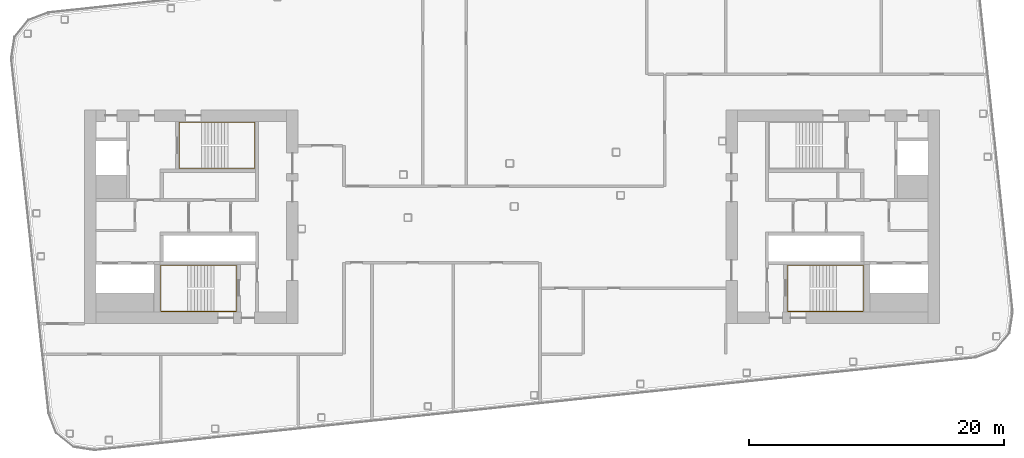
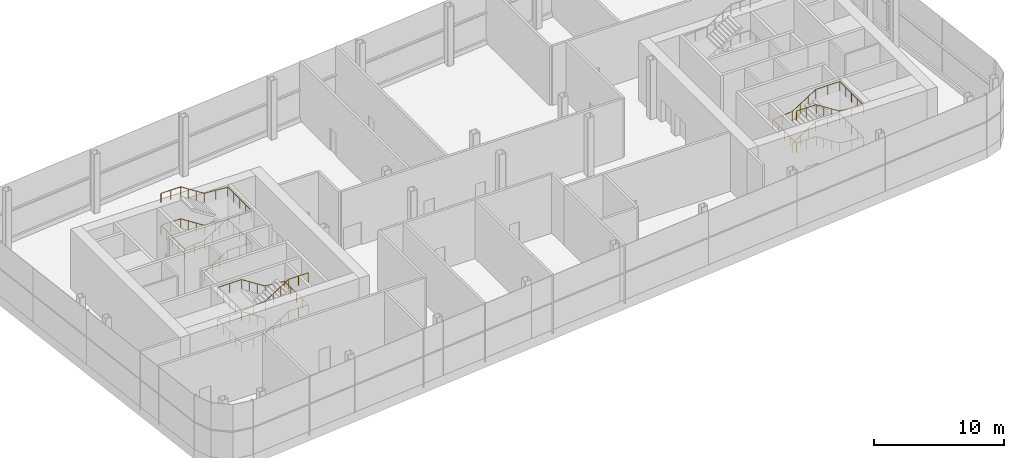
# One storey, part 34 of 35: 3 railings.
"""IFC4 building model written with IfcOpenShell, lengths in metres."""

from ifc_helpers import new_model, si_unit, direction, frame, origin, origin_2d, place, context, subcontext, project, spatial, circle, extrude, material, type_object, element, save


model = new_model("IFC4")

# Units and contexts
model_context = context("Model", 3, precision=1e-05, world=origin(), true_north=direction((0.0, 1.0)))
body_context = subcontext(model_context, "Body", "Model", "MODEL_VIEW")
ifc_project = project(units=[si_unit("LENGTHUNIT", "METRE"), si_unit("AREAUNIT", "SQUARE_METRE"), si_unit("VOLUMEUNIT", "CUBIC_METRE"), si_unit("PLANEANGLEUNIT", "RADIAN"), si_unit("MASSUNIT", "GRAM", prefix="KILO")], contexts=[model_context])

# Site, building, storey
site_placement = place(None, origin())
site = spatial("IfcSite", under=ifc_project, at=site_placement, CompositionType="ELEMENT")
building_placement = place(site_placement, origin())
building = spatial("IfcBuilding", under=site, at=building_placement, Name="Hakoniwa Tower and Hamabe Station Hall", CompositionType="ELEMENT")
storey_placement = place(building_placement, frame((0.0, 0.0, 264.60009765625)))
storey = spatial("IfcBuildingStorey", under=building, at=storey_placement, Name="L75", CompositionType="ELEMENT", Elevation=264.60009765625)

# Railings
ifc_material = material(Name="Stainless steel SUS304", Category="steel")
railing_type = type_object("IfcRailingType", Name="STAIR HANDRAIL 900", PredefinedType="HANDRAIL", material=ifc_material)
railing_1_placement = place(storey_placement, frame((-24.39990234375, 3.81005859375, 0.16650390625)))
element("IfcRailing", 1, at=railing_1_placement, inside=storey, type_object=railing_type, Name="Handrail ST-1 L75 1", PredefinedType="HANDRAIL", context=body_context, shape_type="SweptSolid", body=[
    extrude(circle(Radius=0.02392578125, at=origin_2d()), frame((0.0, 0.0, 0.8759765625), z_axis=(0.841829634381, 0.0, 0.539743334075), x_axis=(0.0, 1.0, 0.0)), (0.0, 0.0, 1.0), 2.470703125),
    extrude(circle(Radius=0.02392578125, at=origin_2d()), frame((2.079833984375, 0.0, 2.20947265625), z_axis=(1.0, 0.0, 0.0), x_axis=(0.0, 1.0, 0.0)), (0.0, 0.0, 1.0), 2.110107421875),
    extrude(circle(Radius=0.02392578125, at=origin_2d()), frame((4.18994140625, 0.0, 2.20947265625), z_axis=(0.0, 1.0, 0.0), x_axis=(-1.0, 0.0, 0.0)), (0.0, 0.0, 1.0), 3.6298828125),
    extrude(circle(Radius=0.02392578125, at=origin_2d()), frame((4.18994140625, 3.6298828125, 2.20947265625), z_axis=(-0.99690124378, 0.0, 0.078663270653), x_axis=(0.0, -1.0, 0.0)), (0.0, 0.0, 1.0), 2.11669921875),
    extrude(circle(Radius=0.02392578125, at=origin_2d()), frame((2.079833984375, 3.6298828125, 2.3759765625), z_axis=(-0.841829634381, 0.0, 0.539743334075), x_axis=(0.0, -1.0, 0.0)), (0.0, 0.0, 1.0), 2.470703125),
    extrude(circle(Radius=0.02392578125, at=origin_2d()), frame((0.0, 3.6298828125, 3.70947265625), z_axis=(-1.0, 0.0, 0.0), x_axis=(0.0, -1.0, 0.0)), (0.0, 0.0, 1.0), 1.739990234375),
    extrude(circle(Radius=0.02392578125, at=origin_2d()), frame((-1.739990234375, 3.6298828125, 3.70947265625), z_axis=(0.0, -1.0, 0.0), x_axis=(1.0, 0.0, 0.0)), (0.0, 0.0, 1.0), 3.6298828125),
    extrude(circle(Radius=0.02392578125, at=origin_2d()), frame((-1.739990234375, 0.0, 3.70947265625), z_axis=(0.995452684975, 0.0, 0.095257293553), x_axis=(0.0, 1.0, 0.0)), (0.0, 0.0, 1.0), 1.748046875),
    extrude(circle(Radius=0.02392578125, at=origin_2d()), frame((0.0, 0.0, 3.8759765625), z_axis=(0.841829634381, 0.0, 0.539743334075), x_axis=(0.0, 1.0, 0.0)), (0.0, 0.0, 1.0), 2.470703125),
    extrude(circle(Radius=0.02392578125, at=origin_2d()), frame((2.079833984375, 0.0, 5.20947265625), z_axis=(1.0, 0.0, 0.0), x_axis=(0.0, 1.0, 0.0)), (0.0, 0.0, 1.0), 2.110107421875),
    extrude(circle(Radius=0.02392578125, at=origin_2d()), frame((4.18994140625, 0.0, 5.20947265625), z_axis=(0.0, 1.0, 0.0), x_axis=(-1.0, 0.0, 0.0)), (0.0, 0.0, 1.0), 3.6298828125),
    extrude(circle(Radius=0.02392578125, at=origin_2d()), frame((4.18994140625, 3.6298828125, 5.20947265625), z_axis=(-0.99690124378, 0.0, 0.078663270653), x_axis=(0.0, -1.0, 0.0)), (0.0, 0.0, 1.0), 2.11669921875),
    extrude(circle(Radius=0.02392578125, at=origin_2d()), frame((2.079833984375, 3.6298828125, 5.3759765625), z_axis=(-0.841829634381, 0.0, 0.539743334075), x_axis=(0.0, -1.0, 0.0)), (0.0, 0.0, 1.0), 2.470703125),
    extrude(circle(Radius=0.02392578125, at=origin_2d()), frame((0.0, 3.6298828125, 6.70947265625), z_axis=(-1.0, 0.0, 0.0), x_axis=(0.0, -1.0, 0.0)), (0.0, 0.0, 1.0), 1.739990234375),
    extrude(circle(Radius=0.02099609375, at=origin_2d()), origin(), (0.0, 0.0, 1.0), 0.851806640625),
    extrude(circle(Radius=0.02099609375, at=origin_2d()), frame((0.693359375, 0.0, 0.444580078125)), (0.0, 0.0, 1.0), 0.851806640625),
    extrude(circle(Radius=0.02099609375, at=origin_2d()), frame((1.386474609375, 0.0, 0.888916015625)), (0.0, 0.0, 1.0), 0.851806640625),
    extrude(circle(Radius=0.02099609375, at=origin_2d()), frame((2.079833984375, 0.0, 1.33349609375)), (0.0, 0.0, 1.0), 0.851806640625),
    extrude(circle(Radius=0.02099609375, at=origin_2d()), frame((3.134765625, 0.0, 1.33349609375)), (0.0, 0.0, 1.0), 0.851806640625),
    extrude(circle(Radius=0.02099609375, at=origin_2d()), frame((4.18994140625, 0.0, 1.33349609375)), (0.0, 0.0, 1.0), 0.851806640625),
    extrude(circle(Radius=0.02099609375, at=origin_2d()), frame((4.18994140625, 0.907470703125, 1.33349609375)), (0.0, 0.0, 1.0), 0.851806640625),
    extrude(circle(Radius=0.02099609375, at=origin_2d()), frame((4.18994140625, 1.81494140625, 1.33349609375)), (0.0, 0.0, 1.0), 0.851806640625),
    extrude(circle(Radius=0.02099609375, at=origin_2d()), frame((4.18994140625, 2.722412109375, 1.33349609375)), (0.0, 0.0, 1.0), 0.851806640625),
    extrude(circle(Radius=0.02099609375, at=origin_2d()), frame((4.18994140625, 3.6298828125, 1.33349609375)), (0.0, 0.0, 1.0), 0.851806640625),
    extrude(circle(Radius=0.02099609375, at=origin_2d()), frame((3.134765625, 3.6298828125, 1.416748046875)), (0.0, 0.0, 1.0), 0.851806640625),
    extrude(circle(Radius=0.02099609375, at=origin_2d()), frame((2.079833984375, 3.6298828125, 1.5)), (0.0, 0.0, 1.0), 0.851806640625),
    extrude(circle(Radius=0.02099609375, at=origin_2d()), frame((1.386474609375, 3.6298828125, 1.944580078125)), (0.0, 0.0, 1.0), 0.851806640625),
    extrude(circle(Radius=0.02099609375, at=origin_2d()), frame((0.693359375, 3.6298828125, 2.388916015625)), (0.0, 0.0, 1.0), 0.851806640625),
    extrude(circle(Radius=0.02099609375, at=origin_2d()), frame((0.0, 3.6298828125, 2.83349609375)), (0.0, 0.0, 1.0), 0.851806640625),
    extrude(circle(Radius=0.02099609375, at=origin_2d()), frame((-0.8701171875, 3.6298828125, 2.83349609375)), (0.0, 0.0, 1.0), 0.851806640625),
    extrude(circle(Radius=0.02099609375, at=origin_2d()), frame((-1.739990234375, 3.6298828125, 2.83349609375)), (0.0, 0.0, 1.0), 0.851806640625),
    extrude(circle(Radius=0.02099609375, at=origin_2d()), frame((-1.739990234375, 2.722412109375, 2.83349609375)), (0.0, 0.0, 1.0), 0.851806640625),
    extrude(circle(Radius=0.02099609375, at=origin_2d()), frame((-1.739990234375, 1.81494140625, 2.83349609375)), (0.0, 0.0, 1.0), 0.851806640625),
    extrude(circle(Radius=0.02099609375, at=origin_2d()), frame((-1.739990234375, 0.907470703125, 2.83349609375)), (0.0, 0.0, 1.0), 0.851806640625),
    extrude(circle(Radius=0.02099609375, at=origin_2d()), frame((-1.739990234375, 0.0, 2.83349609375)), (0.0, 0.0, 1.0), 0.851806640625),
    extrude(circle(Radius=0.02099609375, at=origin_2d()), frame((-0.8701171875, 0.0, 2.916748046875)), (0.0, 0.0, 1.0), 0.851806640625),
    extrude(circle(Radius=0.02099609375, at=origin_2d()), frame((0.0, 0.0, 3.0)), (0.0, 0.0, 1.0), 0.851806640625),
    extrude(circle(Radius=0.02099609375, at=origin_2d()), frame((0.693359375, 0.0, 3.444580078125)), (0.0, 0.0, 1.0), 0.851806640625),
    extrude(circle(Radius=0.02099609375, at=origin_2d()), frame((1.386474609375, 0.0, 3.888916015625)), (0.0, 0.0, 1.0), 0.851806640625),
    extrude(circle(Radius=0.02099609375, at=origin_2d()), frame((2.079833984375, 0.0, 4.33349609375)), (0.0, 0.0, 1.0), 0.851806640625),
    extrude(circle(Radius=0.02099609375, at=origin_2d()), frame((3.134765625, 0.0, 4.33349609375)), (0.0, 0.0, 1.0), 0.851806640625),
    extrude(circle(Radius=0.02099609375, at=origin_2d()), frame((4.18994140625, 0.0, 4.33349609375)), (0.0, 0.0, 1.0), 0.851806640625),
    extrude(circle(Radius=0.02099609375, at=origin_2d()), frame((4.18994140625, 0.907470703125, 4.33349609375)), (0.0, 0.0, 1.0), 0.851806640625),
    extrude(circle(Radius=0.02099609375, at=origin_2d()), frame((4.18994140625, 1.81494140625, 4.33349609375)), (0.0, 0.0, 1.0), 0.851806640625),
    extrude(circle(Radius=0.02099609375, at=origin_2d()), frame((4.18994140625, 2.722412109375, 4.33349609375)), (0.0, 0.0, 1.0), 0.851806640625),
    extrude(circle(Radius=0.02099609375, at=origin_2d()), frame((4.18994140625, 3.6298828125, 4.33349609375)), (0.0, 0.0, 1.0), 0.851806640625),
    extrude(circle(Radius=0.02099609375, at=origin_2d()), frame((3.134765625, 3.6298828125, 4.416748046875)), (0.0, 0.0, 1.0), 0.851806640625),
    extrude(circle(Radius=0.02099609375, at=origin_2d()), frame((2.079833984375, 3.6298828125, 4.5)), (0.0, 0.0, 1.0), 0.851806640625),
    extrude(circle(Radius=0.02099609375, at=origin_2d()), frame((1.386474609375, 3.6298828125, 4.944580078125)), (0.0, 0.0, 1.0), 0.851806640625),
    extrude(circle(Radius=0.02099609375, at=origin_2d()), frame((0.693359375, 3.6298828125, 5.388916015625)), (0.0, 0.0, 1.0), 0.851806640625),
    extrude(circle(Radius=0.02099609375, at=origin_2d()), frame((0.0, 3.6298828125, 5.83349609375)), (0.0, 0.0, 1.0), 0.851806640625),
    extrude(circle(Radius=0.02099609375, at=origin_2d()), frame((-0.8701171875, 3.6298828125, 5.83349609375)), (0.0, 0.0, 1.0), 0.851806640625),
    extrude(circle(Radius=0.02099609375, at=origin_2d()), frame((-1.739990234375, 3.6298828125, 5.83349609375)), (0.0, 0.0, 1.0), 0.851806640625),
])
railing_2_placement = place(storey_placement, frame((-23.39990234375, -3.81005859375, 0.16650390625)))
element("IfcRailing", 2, at=railing_2_placement, inside=storey, type_object=railing_type, Name="Handrail ST-2 L75 1", PredefinedType="HANDRAIL", context=body_context, shape_type="SweptSolid", body=[
    extrude(circle(Radius=0.02392578125, at=origin_2d()), frame((0.0, 0.0, 0.8759765625), z_axis=(-0.841858418701, 0.0, 0.539698436965), x_axis=(0.0, -1.0, 0.0)), (0.0, 0.0, 1.0), 2.470703125),
    extrude(circle(Radius=0.02392578125, at=origin_2d()), frame((-2.080078125, 0.0, 2.20947265625), z_axis=(-1.0, 0.0, 0.0), x_axis=(0.0, -1.0, 0.0)), (0.0, 0.0, 1.0), 2.110107421875),
    extrude(circle(Radius=0.02392578125, at=origin_2d()), frame((-4.190185546875, 0.0, 2.20947265625), z_axis=(0.0, -1.0, 0.0), x_axis=(1.0, 0.0, 0.0)), (0.0, 0.0, 1.0), 3.6298828125),
    extrude(circle(Radius=0.02392578125, at=origin_2d()), frame((-4.190185546875, -3.6298828125, 2.20947265625), z_axis=(0.99690124378, 0.0, 0.078663270653), x_axis=(0.0, 1.0, 0.0)), (0.0, 0.0, 1.0), 2.11669921875),
    extrude(circle(Radius=0.02392578125, at=origin_2d()), frame((-2.080078125, -3.6298828125, 2.3759765625), z_axis=(0.841858418701, 0.0, 0.539698436965), x_axis=(0.0, 1.0, 0.0)), (0.0, 0.0, 1.0), 2.470703125),
    extrude(circle(Radius=0.02392578125, at=origin_2d()), frame((0.0, -3.6298828125, 3.70947265625), z_axis=(1.0, 0.0, 0.0), x_axis=(0.0, 1.0, 0.0)), (0.0, 0.0, 1.0), 1.739990234375),
    extrude(circle(Radius=0.02392578125, at=origin_2d()), frame((1.739990234375, -3.6298828125, 3.70947265625), z_axis=(0.0, 1.0, 0.0), x_axis=(-1.0, 0.0, 0.0)), (0.0, 0.0, 1.0), 3.6298828125),
    extrude(circle(Radius=0.02392578125, at=origin_2d()), frame((1.739990234375, 0.0, 3.70947265625), z_axis=(-0.995452684975, 0.0, 0.095257293553), x_axis=(0.0, -1.0, 0.0)), (0.0, 0.0, 1.0), 1.748046875),
    extrude(circle(Radius=0.02392578125, at=origin_2d()), frame((0.0, 0.0, 3.8759765625), z_axis=(-0.841858418701, 0.0, 0.539698436965), x_axis=(0.0, -1.0, 0.0)), (0.0, 0.0, 1.0), 2.470703125),
    extrude(circle(Radius=0.02392578125, at=origin_2d()), frame((-2.080078125, 0.0, 5.20947265625), z_axis=(-1.0, 0.0, 0.0), x_axis=(0.0, -1.0, 0.0)), (0.0, 0.0, 1.0), 2.110107421875),
    extrude(circle(Radius=0.02392578125, at=origin_2d()), frame((-4.190185546875, 0.0, 5.20947265625), z_axis=(0.0, -1.0, 0.0), x_axis=(1.0, 0.0, 0.0)), (0.0, 0.0, 1.0), 3.6298828125),
    extrude(circle(Radius=0.02392578125, at=origin_2d()), frame((-4.190185546875, -3.6298828125, 5.20947265625), z_axis=(0.99690124378, 0.0, 0.078663270653), x_axis=(0.0, 1.0, 0.0)), (0.0, 0.0, 1.0), 2.11669921875),
    extrude(circle(Radius=0.02392578125, at=origin_2d()), frame((-2.080078125, -3.6298828125, 5.3759765625), z_axis=(0.841858418701, 0.0, 0.539698436965), x_axis=(0.0, 1.0, 0.0)), (0.0, 0.0, 1.0), 2.470703125),
    extrude(circle(Radius=0.02392578125, at=origin_2d()), frame((0.0, -3.6298828125, 6.70947265625), z_axis=(1.0, 0.0, 0.0), x_axis=(0.0, 1.0, 0.0)), (0.0, 0.0, 1.0), 1.739990234375),
    extrude(circle(Radius=0.02099609375, at=origin_2d()), origin(), (0.0, 0.0, 1.0), 0.851806640625),
    extrude(circle(Radius=0.02099609375, at=origin_2d()), frame((-0.693359375, 0.0, 0.444580078125)), (0.0, 0.0, 1.0), 0.851806640625),
    extrude(circle(Radius=0.02099609375, at=origin_2d()), frame((-1.38671875, 0.0, 0.888916015625)), (0.0, 0.0, 1.0), 0.851806640625),
    extrude(circle(Radius=0.02099609375, at=origin_2d()), frame((-2.080078125, 0.0, 1.33349609375)), (0.0, 0.0, 1.0), 0.851806640625),
    extrude(circle(Radius=0.02099609375, at=origin_2d()), frame((-3.13525390625, 0.0, 1.33349609375)), (0.0, 0.0, 1.0), 0.851806640625),
    extrude(circle(Radius=0.02099609375, at=origin_2d()), frame((-4.190185546875, 0.0, 1.33349609375)), (0.0, 0.0, 1.0), 0.851806640625),
    extrude(circle(Radius=0.02099609375, at=origin_2d()), frame((-4.190185546875, -0.907470703125, 1.33349609375)), (0.0, 0.0, 1.0), 0.851806640625),
    extrude(circle(Radius=0.02099609375, at=origin_2d()), frame((-4.190185546875, -1.81494140625, 1.33349609375)), (0.0, 0.0, 1.0), 0.851806640625),
    extrude(circle(Radius=0.02099609375, at=origin_2d()), frame((-4.190185546875, -2.722412109375, 1.33349609375)), (0.0, 0.0, 1.0), 0.851806640625),
    extrude(circle(Radius=0.02099609375, at=origin_2d()), frame((-4.190185546875, -3.6298828125, 1.33349609375)), (0.0, 0.0, 1.0), 0.851806640625),
    extrude(circle(Radius=0.02099609375, at=origin_2d()), frame((-3.13525390625, -3.6298828125, 1.416748046875)), (0.0, 0.0, 1.0), 0.851806640625),
    extrude(circle(Radius=0.02099609375, at=origin_2d()), frame((-2.080078125, -3.6298828125, 1.5)), (0.0, 0.0, 1.0), 0.851806640625),
    extrude(circle(Radius=0.02099609375, at=origin_2d()), frame((-1.38671875, -3.6298828125, 1.944580078125)), (0.0, 0.0, 1.0), 0.851806640625),
    extrude(circle(Radius=0.02099609375, at=origin_2d()), frame((-0.693359375, -3.6298828125, 2.388916015625)), (0.0, 0.0, 1.0), 0.851806640625),
    extrude(circle(Radius=0.02099609375, at=origin_2d()), frame((0.0, -3.6298828125, 2.83349609375)), (0.0, 0.0, 1.0), 0.851806640625),
    extrude(circle(Radius=0.02099609375, at=origin_2d()), frame((0.8701171875, -3.6298828125, 2.83349609375)), (0.0, 0.0, 1.0), 0.851806640625),
    extrude(circle(Radius=0.02099609375, at=origin_2d()), frame((1.739990234375, -3.6298828125, 2.83349609375)), (0.0, 0.0, 1.0), 0.851806640625),
    extrude(circle(Radius=0.02099609375, at=origin_2d()), frame((1.739990234375, -2.722412109375, 2.83349609375)), (0.0, 0.0, 1.0), 0.851806640625),
    extrude(circle(Radius=0.02099609375, at=origin_2d()), frame((1.739990234375, -1.81494140625, 2.83349609375)), (0.0, 0.0, 1.0), 0.851806640625),
    extrude(circle(Radius=0.02099609375, at=origin_2d()), frame((1.739990234375, -0.907470703125, 2.83349609375)), (0.0, 0.0, 1.0), 0.851806640625),
    extrude(circle(Radius=0.02099609375, at=origin_2d()), frame((1.739990234375, 0.0, 2.83349609375)), (0.0, 0.0, 1.0), 0.851806640625),
    extrude(circle(Radius=0.02099609375, at=origin_2d()), frame((0.8701171875, 0.0, 2.916748046875)), (0.0, 0.0, 1.0), 0.851806640625),
    extrude(circle(Radius=0.02099609375, at=origin_2d()), frame((0.0, 0.0, 3.0)), (0.0, 0.0, 1.0), 0.851806640625),
    extrude(circle(Radius=0.02099609375, at=origin_2d()), frame((-0.693359375, 0.0, 3.444580078125)), (0.0, 0.0, 1.0), 0.851806640625),
    extrude(circle(Radius=0.02099609375, at=origin_2d()), frame((-1.38671875, 0.0, 3.888916015625)), (0.0, 0.0, 1.0), 0.851806640625),
    extrude(circle(Radius=0.02099609375, at=origin_2d()), frame((-2.080078125, 0.0, 4.33349609375)), (0.0, 0.0, 1.0), 0.851806640625),
    extrude(circle(Radius=0.02099609375, at=origin_2d()), frame((-3.13525390625, 0.0, 4.33349609375)), (0.0, 0.0, 1.0), 0.851806640625),
    extrude(circle(Radius=0.02099609375, at=origin_2d()), frame((-4.190185546875, 0.0, 4.33349609375)), (0.0, 0.0, 1.0), 0.851806640625),
    extrude(circle(Radius=0.02099609375, at=origin_2d()), frame((-4.190185546875, -0.907470703125, 4.33349609375)), (0.0, 0.0, 1.0), 0.851806640625),
    extrude(circle(Radius=0.02099609375, at=origin_2d()), frame((-4.190185546875, -1.81494140625, 4.33349609375)), (0.0, 0.0, 1.0), 0.851806640625),
    extrude(circle(Radius=0.02099609375, at=origin_2d()), frame((-4.190185546875, -2.722412109375, 4.33349609375)), (0.0, 0.0, 1.0), 0.851806640625),
    extrude(circle(Radius=0.02099609375, at=origin_2d()), frame((-4.190185546875, -3.6298828125, 4.33349609375)), (0.0, 0.0, 1.0), 0.851806640625),
    extrude(circle(Radius=0.02099609375, at=origin_2d()), frame((-3.13525390625, -3.6298828125, 4.416748046875)), (0.0, 0.0, 1.0), 0.851806640625),
    extrude(circle(Radius=0.02099609375, at=origin_2d()), frame((-2.080078125, -3.6298828125, 4.5)), (0.0, 0.0, 1.0), 0.851806640625),
    extrude(circle(Radius=0.02099609375, at=origin_2d()), frame((-1.38671875, -3.6298828125, 4.944580078125)), (0.0, 0.0, 1.0), 0.851806640625),
    extrude(circle(Radius=0.02099609375, at=origin_2d()), frame((-0.693359375, -3.6298828125, 5.388916015625)), (0.0, 0.0, 1.0), 0.851806640625),
    extrude(circle(Radius=0.02099609375, at=origin_2d()), frame((0.0, -3.6298828125, 5.83349609375)), (0.0, 0.0, 1.0), 0.851806640625),
    extrude(circle(Radius=0.02099609375, at=origin_2d()), frame((0.8701171875, -3.6298828125, 5.83349609375)), (0.0, 0.0, 1.0), 0.851806640625),
    extrude(circle(Radius=0.02099609375, at=origin_2d()), frame((1.739990234375, -3.6298828125, 5.83349609375)), (0.0, 0.0, 1.0), 0.851806640625),
])
railing_3_placement = place(storey_placement, frame((23.39990234375, -3.81005859375, 0.16650390625)))
element("IfcRailing", 3, at=railing_3_placement, inside=storey, type_object=railing_type, Name="Handrail ST-4 L75 1", PredefinedType="HANDRAIL", context=body_context, shape_type="SweptSolid", body=[
    extrude(circle(Radius=0.02392578125, at=origin_2d()), frame((0.0, 0.0, 0.8759765625), z_axis=(0.841858418701, 0.0, 0.539698436965), x_axis=(0.0, 1.0, 0.0)), (0.0, 0.0, 1.0), 2.470703125),
    extrude(circle(Radius=0.02392578125, at=origin_2d()), frame((2.080078125, 0.0, 2.20947265625), z_axis=(1.0, 0.0, 0.0), x_axis=(0.0, 1.0, 0.0)), (0.0, 0.0, 1.0), 2.110107421875),
    extrude(circle(Radius=0.02392578125, at=origin_2d()), frame((4.190185546875, 0.0, 2.20947265625), z_axis=(0.0, -1.0, 0.0), x_axis=(1.0, 0.0, 0.0)), (0.0, 0.0, 1.0), 3.6298828125),
    extrude(circle(Radius=0.02392578125, at=origin_2d()), frame((4.190185546875, -3.6298828125, 2.20947265625), z_axis=(-0.99690124378, 0.0, 0.078663270653), x_axis=(0.0, -1.0, 0.0)), (0.0, 0.0, 1.0), 2.11669921875),
    extrude(circle(Radius=0.02392578125, at=origin_2d()), frame((2.080078125, -3.6298828125, 2.3759765625), z_axis=(-0.841858418701, 0.0, 0.539698436965), x_axis=(0.0, -1.0, 0.0)), (0.0, 0.0, 1.0), 2.470703125),
    extrude(circle(Radius=0.02392578125, at=origin_2d()), frame((0.0, -3.6298828125, 3.70947265625), z_axis=(-1.0, 0.0, 0.0), x_axis=(0.0, -1.0, 0.0)), (0.0, 0.0, 1.0), 1.739990234375),
    extrude(circle(Radius=0.02392578125, at=origin_2d()), frame((-1.739990234375, -3.6298828125, 3.70947265625), z_axis=(0.0, 1.0, 0.0), x_axis=(-1.0, 0.0, 0.0)), (0.0, 0.0, 1.0), 3.6298828125),
    extrude(circle(Radius=0.02392578125, at=origin_2d()), frame((-1.739990234375, 0.0, 3.70947265625), z_axis=(0.995452684975, 0.0, 0.095257293553), x_axis=(0.0, 1.0, 0.0)), (0.0, 0.0, 1.0), 1.748046875),
    extrude(circle(Radius=0.02392578125, at=origin_2d()), frame((0.0, 0.0, 3.8759765625), z_axis=(0.841858418701, 0.0, 0.539698436965), x_axis=(0.0, 1.0, 0.0)), (0.0, 0.0, 1.0), 2.470703125),
    extrude(circle(Radius=0.02392578125, at=origin_2d()), frame((2.080078125, 0.0, 5.20947265625), z_axis=(1.0, 0.0, 0.0), x_axis=(0.0, 1.0, 0.0)), (0.0, 0.0, 1.0), 2.110107421875),
    extrude(circle(Radius=0.02392578125, at=origin_2d()), frame((4.190185546875, 0.0, 5.20947265625), z_axis=(0.0, -1.0, 0.0), x_axis=(1.0, 0.0, 0.0)), (0.0, 0.0, 1.0), 3.6298828125),
    extrude(circle(Radius=0.02392578125, at=origin_2d()), frame((4.190185546875, -3.6298828125, 5.20947265625), z_axis=(-0.99690124378, 0.0, 0.078663270653), x_axis=(0.0, -1.0, 0.0)), (0.0, 0.0, 1.0), 2.11669921875),
    extrude(circle(Radius=0.02392578125, at=origin_2d()), frame((2.080078125, -3.6298828125, 5.3759765625), z_axis=(-0.841858418701, 0.0, 0.539698436965), x_axis=(0.0, -1.0, 0.0)), (0.0, 0.0, 1.0), 2.470703125),
    extrude(circle(Radius=0.02392578125, at=origin_2d()), frame((0.0, -3.6298828125, 6.70947265625), z_axis=(-1.0, 0.0, 0.0), x_axis=(0.0, -1.0, 0.0)), (0.0, 0.0, 1.0), 1.739990234375),
    extrude(circle(Radius=0.02099609375, at=origin_2d()), origin(), (0.0, 0.0, 1.0), 0.851806640625),
    extrude(circle(Radius=0.02099609375, at=origin_2d()), frame((0.693359375, 0.0, 0.444580078125)), (0.0, 0.0, 1.0), 0.851806640625),
    extrude(circle(Radius=0.02099609375, at=origin_2d()), frame((1.38671875, 0.0, 0.888916015625)), (0.0, 0.0, 1.0), 0.851806640625),
    extrude(circle(Radius=0.02099609375, at=origin_2d()), frame((2.080078125, 0.0, 1.33349609375)), (0.0, 0.0, 1.0), 0.851806640625),
    extrude(circle(Radius=0.02099609375, at=origin_2d()), frame((3.13525390625, 0.0, 1.33349609375)), (0.0, 0.0, 1.0), 0.851806640625),
    extrude(circle(Radius=0.02099609375, at=origin_2d()), frame((4.190185546875, 0.0, 1.33349609375)), (0.0, 0.0, 1.0), 0.851806640625),
    extrude(circle(Radius=0.02099609375, at=origin_2d()), frame((4.190185546875, -0.907470703125, 1.33349609375)), (0.0, 0.0, 1.0), 0.851806640625),
    extrude(circle(Radius=0.02099609375, at=origin_2d()), frame((4.190185546875, -1.81494140625, 1.33349609375)), (0.0, 0.0, 1.0), 0.851806640625),
    extrude(circle(Radius=0.02099609375, at=origin_2d()), frame((4.190185546875, -2.722412109375, 1.33349609375)), (0.0, 0.0, 1.0), 0.851806640625),
    extrude(circle(Radius=0.02099609375, at=origin_2d()), frame((4.190185546875, -3.6298828125, 1.33349609375)), (0.0, 0.0, 1.0), 0.851806640625),
    extrude(circle(Radius=0.02099609375, at=origin_2d()), frame((3.13525390625, -3.6298828125, 1.416748046875)), (0.0, 0.0, 1.0), 0.851806640625),
    extrude(circle(Radius=0.02099609375, at=origin_2d()), frame((2.080078125, -3.6298828125, 1.5)), (0.0, 0.0, 1.0), 0.851806640625),
    extrude(circle(Radius=0.02099609375, at=origin_2d()), frame((1.38671875, -3.6298828125, 1.944580078125)), (0.0, 0.0, 1.0), 0.851806640625),
    extrude(circle(Radius=0.02099609375, at=origin_2d()), frame((0.693359375, -3.6298828125, 2.388916015625)), (0.0, 0.0, 1.0), 0.851806640625),
    extrude(circle(Radius=0.02099609375, at=origin_2d()), frame((0.0, -3.6298828125, 2.83349609375)), (0.0, 0.0, 1.0), 0.851806640625),
    extrude(circle(Radius=0.02099609375, at=origin_2d()), frame((-0.8701171875, -3.6298828125, 2.83349609375)), (0.0, 0.0, 1.0), 0.851806640625),
    extrude(circle(Radius=0.02099609375, at=origin_2d()), frame((-1.739990234375, -3.6298828125, 2.83349609375)), (0.0, 0.0, 1.0), 0.851806640625),
    extrude(circle(Radius=0.02099609375, at=origin_2d()), frame((-1.739990234375, -2.722412109375, 2.83349609375)), (0.0, 0.0, 1.0), 0.851806640625),
    extrude(circle(Radius=0.02099609375, at=origin_2d()), frame((-1.739990234375, -1.81494140625, 2.83349609375)), (0.0, 0.0, 1.0), 0.851806640625),
    extrude(circle(Radius=0.02099609375, at=origin_2d()), frame((-1.739990234375, -0.907470703125, 2.83349609375)), (0.0, 0.0, 1.0), 0.851806640625),
    extrude(circle(Radius=0.02099609375, at=origin_2d()), frame((-1.739990234375, 0.0, 2.83349609375)), (0.0, 0.0, 1.0), 0.851806640625),
    extrude(circle(Radius=0.02099609375, at=origin_2d()), frame((-0.8701171875, 0.0, 2.916748046875)), (0.0, 0.0, 1.0), 0.851806640625),
    extrude(circle(Radius=0.02099609375, at=origin_2d()), frame((0.0, 0.0, 3.0)), (0.0, 0.0, 1.0), 0.851806640625),
    extrude(circle(Radius=0.02099609375, at=origin_2d()), frame((0.693359375, 0.0, 3.444580078125)), (0.0, 0.0, 1.0), 0.851806640625),
    extrude(circle(Radius=0.02099609375, at=origin_2d()), frame((1.38671875, 0.0, 3.888916015625)), (0.0, 0.0, 1.0), 0.851806640625),
    extrude(circle(Radius=0.02099609375, at=origin_2d()), frame((2.080078125, 0.0, 4.33349609375)), (0.0, 0.0, 1.0), 0.851806640625),
    extrude(circle(Radius=0.02099609375, at=origin_2d()), frame((3.13525390625, 0.0, 4.33349609375)), (0.0, 0.0, 1.0), 0.851806640625),
    extrude(circle(Radius=0.02099609375, at=origin_2d()), frame((4.190185546875, 0.0, 4.33349609375)), (0.0, 0.0, 1.0), 0.851806640625),
    extrude(circle(Radius=0.02099609375, at=origin_2d()), frame((4.190185546875, -0.907470703125, 4.33349609375)), (0.0, 0.0, 1.0), 0.851806640625),
    extrude(circle(Radius=0.02099609375, at=origin_2d()), frame((4.190185546875, -1.81494140625, 4.33349609375)), (0.0, 0.0, 1.0), 0.851806640625),
    extrude(circle(Radius=0.02099609375, at=origin_2d()), frame((4.190185546875, -2.722412109375, 4.33349609375)), (0.0, 0.0, 1.0), 0.851806640625),
    extrude(circle(Radius=0.02099609375, at=origin_2d()), frame((4.190185546875, -3.6298828125, 4.33349609375)), (0.0, 0.0, 1.0), 0.851806640625),
    extrude(circle(Radius=0.02099609375, at=origin_2d()), frame((3.13525390625, -3.6298828125, 4.416748046875)), (0.0, 0.0, 1.0), 0.851806640625),
    extrude(circle(Radius=0.02099609375, at=origin_2d()), frame((2.080078125, -3.6298828125, 4.5)), (0.0, 0.0, 1.0), 0.851806640625),
    extrude(circle(Radius=0.02099609375, at=origin_2d()), frame((1.38671875, -3.6298828125, 4.944580078125)), (0.0, 0.0, 1.0), 0.851806640625),
    extrude(circle(Radius=0.02099609375, at=origin_2d()), frame((0.693359375, -3.6298828125, 5.388916015625)), (0.0, 0.0, 1.0), 0.851806640625),
    extrude(circle(Radius=0.02099609375, at=origin_2d()), frame((0.0, -3.6298828125, 5.83349609375)), (0.0, 0.0, 1.0), 0.851806640625),
    extrude(circle(Radius=0.02099609375, at=origin_2d()), frame((-0.8701171875, -3.6298828125, 5.83349609375)), (0.0, 0.0, 1.0), 0.851806640625),
    extrude(circle(Radius=0.02099609375, at=origin_2d()), frame((-1.739990234375, -3.6298828125, 5.83349609375)), (0.0, 0.0, 1.0), 0.851806640625),
])

save(model, "model.ifc")
